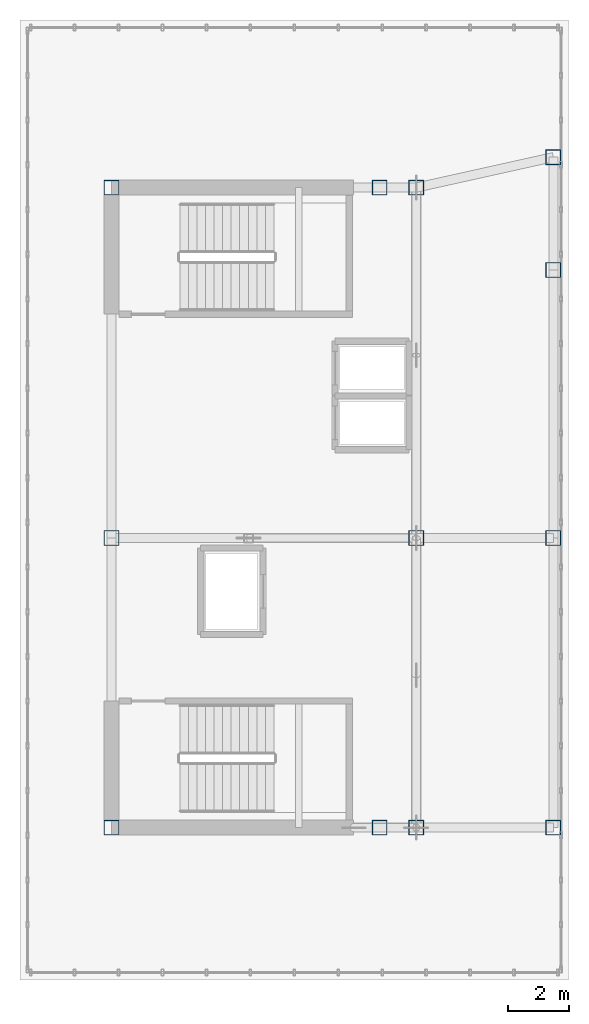
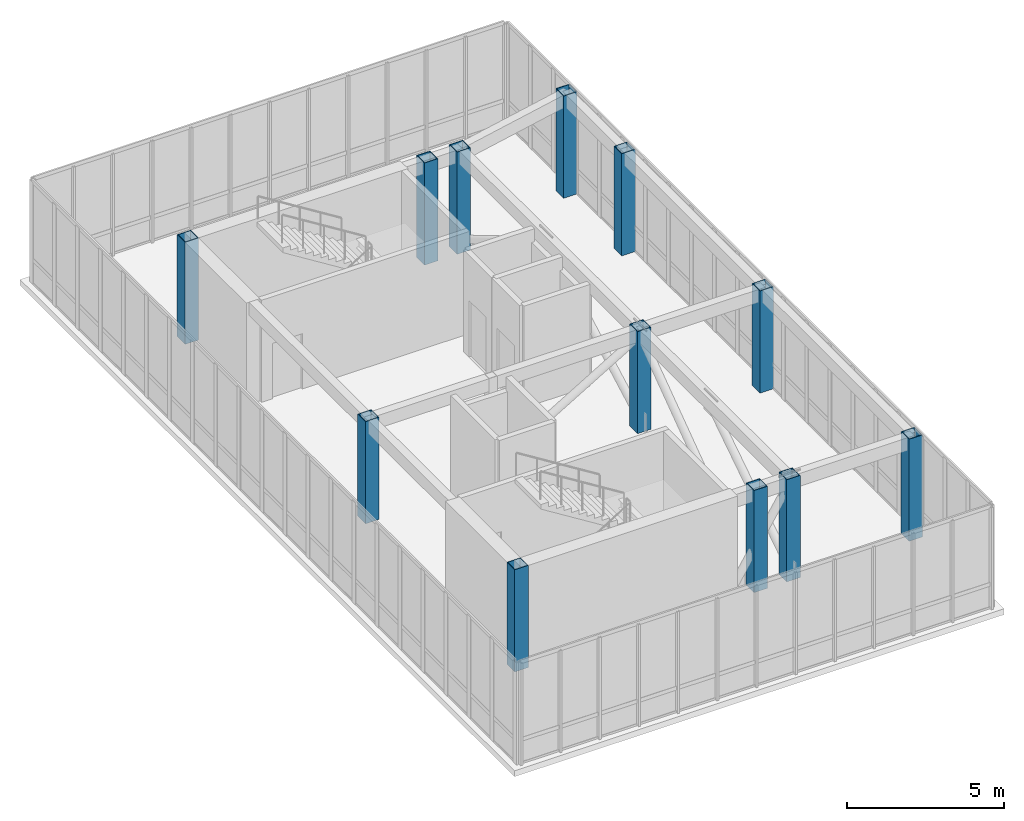
# One storey, part 1 of 13: 12 columns.
"""IFC4 building model written with IfcOpenShell, lengths in metres."""

from ifc_helpers import new_model, si_unit, direction, frame, origin, origin_2d, place, context, subcontext, project, spatial, hollow_rectangle, extrude, source, transform, mapped, material, material_profile, profile_set, type_object, element, save


model = new_model("IFC4")

# Units and contexts
model_context = context("Model", 3, precision=1e-05, world=origin(), true_north=direction((0.0, 1.0)))
body_context = subcontext(model_context, "Body", "Model", "MODEL_VIEW")
ifc_project = project(units=[si_unit("LENGTHUNIT", "METRE"), si_unit("AREAUNIT", "SQUARE_METRE"), si_unit("VOLUMEUNIT", "CUBIC_METRE"), si_unit("PLANEANGLEUNIT", "RADIAN"), si_unit("MASSUNIT", "GRAM", prefix="KILO")], contexts=[model_context])

# Site, building, storey
site_placement = place(None, origin())
site = spatial("IfcSite", under=ifc_project, at=site_placement, CompositionType="ELEMENT")
building_placement = place(site_placement, origin())
building = spatial("IfcBuilding", under=site, at=building_placement, Name="Kharzan Plaza Tower", CompositionType="ELEMENT")
storey_placement = place(building_placement, frame((0.0, 0.0, 277.199951171875)))
storey = spatial("IfcBuildingStorey", under=building, at=storey_placement, Name="L75-CROWN", CompositionType="ELEMENT", Elevation=277.199951171875)

# Columns
ifc_material = material(Name="Steel S355", Category="steel")
ifc_material_profile = material_profile(ifc_material, hollow_rectangle(XDim=0.5, YDim=0.5, WallThickness=0.02490234375, at=origin_2d()), Name="SHS500x500x25")
ifc_profile_set = profile_set([ifc_material_profile], Name="Steel S355")
column_type = type_object("IfcColumnType", Name="COL-LC500", PredefinedType="COLUMN", material=ifc_profile_set)
shared_shape = source(origin(), body_context, "Body", "SweptSolid", [
    extrude(hollow_rectangle(XDim=0.5, YDim=0.5, WallThickness=0.02490234375, at=origin_2d()), origin(), (0.0, 0.0, 1.0), 3.969970703125),
])
for number, where, z_axis, x_axis, name in (
    (1, (4.5, 8.5, 0.0), (0.0, 0.0, 1.0), (1.0, 0.0, 0.0), "L75-CROWN CROWN FRAME Lantern Column LC01"),
    (2, (13.300048828125, 8.5, 0.0), (0.0, 0.0, 1.0), (1.0, 0.0, 0.0), "L75-CROWN CROWN FRAME Lantern Column LC02"),
    (3, (14.5, 8.5, 0.0), (0.0, 0.0, 1.0), (1.0, 0.0, 0.0), "L75-CROWN CROWN FRAME Lantern Column LC03"),
    (4, (4.5, 18.0, 0.0), (0.0, 0.0, 1.0), (1.0, 0.0, 0.0), "L75-CROWN CROWN FRAME Lantern Column LC04"),
    (5, (14.5, 18.0, 0.0), (0.0, 0.0, 1.0), (1.0, 0.0, 0.0), "L75-CROWN CROWN FRAME Lantern Column LC05"),
    (6, (4.5, 29.5, 0.0), (0.0, 0.0, 1.0), (1.0, 0.0, 0.0), "L75-CROWN CROWN FRAME Lantern Column LC06"),
    (7, (13.300048828125, 29.5, 0.0), (0.0, 0.0, 1.0), (1.0, 0.0, 0.0), "L75-CROWN CROWN FRAME Lantern Column LC07"),
    (8, (14.5, 29.5, 0.0), (0.0, 0.0, 1.0), (1.0, 0.0, 0.0), "L75-CROWN CROWN FRAME Lantern Column LC08"),
    (9, (19.0, 8.5, 0.0), (0.0, 0.0, 1.0), (1.0, 0.0, 0.0), "L75-CROWN CROWN FRAME Lantern Column LC09"),
    (10, (19.0, 18.0, 0.0), (0.0, 0.0, 1.0), (1.0, 0.0, 0.0), "L75-CROWN CROWN FRAME Lantern Column LC10"),
    (11, (19.0, 26.800048828125, 0.0), (0.0, 0.0, 1.0), (1.0, 0.0, 0.0), "L75-CROWN CROWN FRAME Lantern Column LC11"),
    (12, (19.0, 30.5, 0.0), (0.0, 0.0, 1.0), (1.0, 0.0, 0.0), "L75-CROWN CROWN FRAME Lantern Column LC12"),
):
    element("IfcColumn", number, at=place(storey_placement, frame(where, z_axis=z_axis, x_axis=x_axis)), inside=storey, type_object=column_type, Name=name, PredefinedType="COLUMN", context=body_context, shape_type="MappedRepresentation", body=[
        mapped(shared_shape, transform((0.0, 0.0, 0.0), x_axis=(1.0, 0.0, 0.0), y_axis=(0.0, 1.0, 0.0), z_axis=(0.0, 0.0, 1.0))),
    ])

save(model, "model.ifc")
